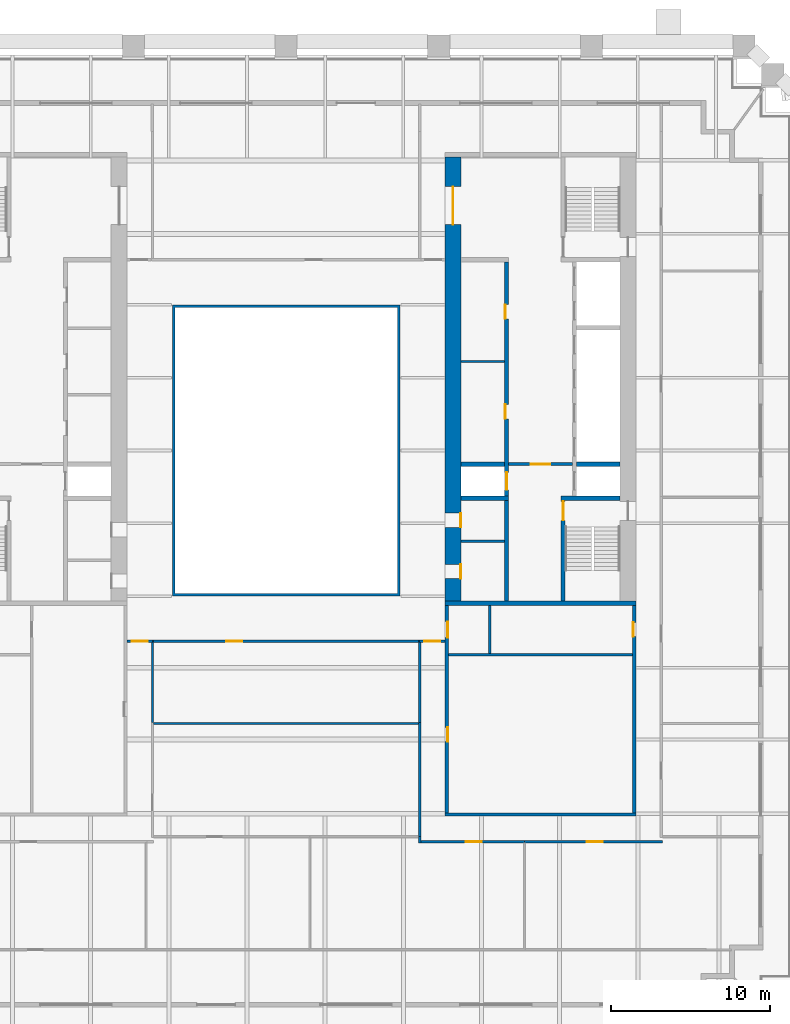
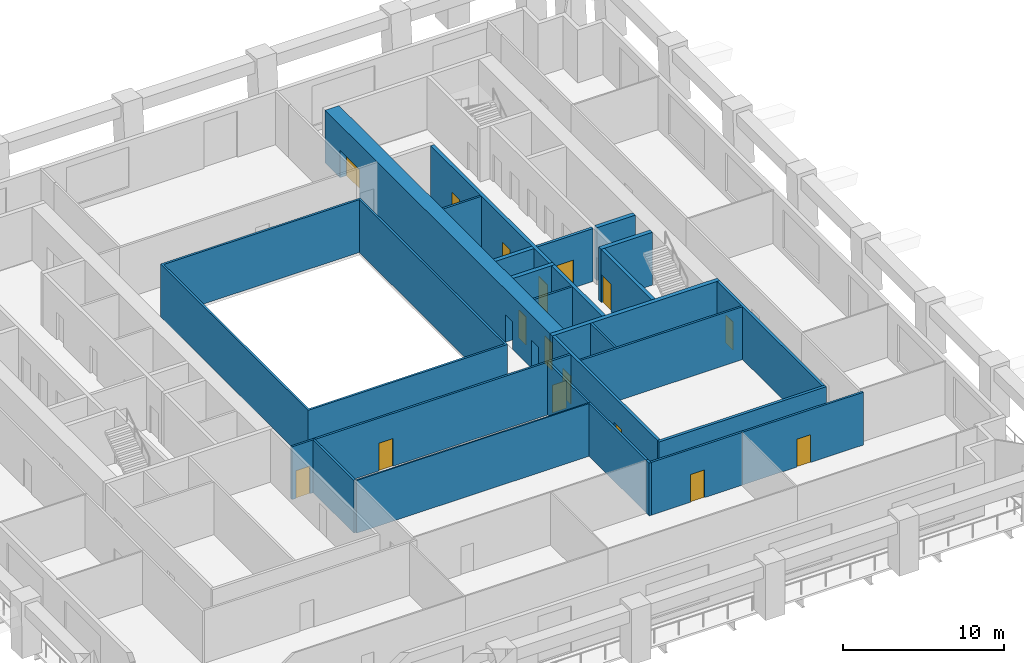
# One storey, part 5 of 10: 27 walls, 16 doors, 16 openings.
"""IFC4 building model written with IfcOpenShell, lengths in metres."""

from ifc_helpers import new_model, si_unit, direction, frame, frame_2d, origin, place, context, subcontext, project, spatial, polyline, rectangle, outline, extrude, material, layer, layer_set, type_object, element, fill, save


model = new_model("IFC4")

# Units and contexts
model_context = context("Model", 3, precision=1e-05, world=origin(), true_north=direction((0.0, 1.0)))
body_context = subcontext(model_context, "Body", "Model", "MODEL_VIEW")
ifc_project = project(units=[si_unit("LENGTHUNIT", "METRE"), si_unit("AREAUNIT", "SQUARE_METRE"), si_unit("VOLUMEUNIT", "CUBIC_METRE"), si_unit("PLANEANGLEUNIT", "RADIAN"), si_unit("MASSUNIT", "GRAM", prefix="KILO")], contexts=[model_context])

# Site, building, storey
site_placement = place(None, origin())
site = spatial("IfcSite", under=ifc_project, at=site_placement, CompositionType="ELEMENT")
building_placement = place(site_placement, origin())
building = spatial("IfcBuilding", under=site, at=building_placement, Name="Ogive Exchange Tower", CompositionType="ELEMENT")
storey_placement = place(building_placement, frame((0.0, 0.0, 43.800048828125)))
storey = spatial("IfcBuildingStorey", under=building, at=storey_placement, Name="L08", CompositionType="ELEMENT", Elevation=43.800048828125)

# Walls
ifc_material_1 = material(Name="Gypsum board partition")
ifc_layer_1 = layer(ifc_material_1, 0.14990234375)
ifc_layer_set_1 = layer_set([ifc_layer_1], Name="Core room partition 150 gypsum")
wall_type_1 = type_object("IfcWallType", Name="Core room partition 150 gypsum", PredefinedType="PARTITIONING", material=ifc_layer_set_1)
for number, where, z_axis, x_axis, name in (
    (1, (11.0, 12.60009765625, 0.0), (0.0, 0.0, 1.0), (1.0, 0.0, 0.0), "E row B bay partition 1-1"),
    (2, (11.0, 1.300048828125, 0.0), (0.0, 0.0, 1.0), (1.0, 0.0, 0.0), "E south room partition"),
):
    element("IfcWall", number, at=place(storey_placement, frame(where, z_axis=z_axis, x_axis=x_axis)), inside=storey, type_object=wall_type_1, Name=name, PredefinedType="PARTITIONING", context=body_context, shape_type="SweptSolid", body=[
        extrude(rectangle(XDim=2.75, YDim=0.14990234375, at=frame_2d((1.375, 0.0))), origin(), (0.0, 0.0, 1.0), 4.0),
    ])
wall_1_placement = place(storey_placement, frame((10.199951171875, -5.85009765625, 0.0), z_axis=(0.0, 0.0, 1.0), x_axis=(1.0, 0.0, 0.0)))
element("IfcWall", 3, at=wall_1_placement, inside=storey, type_object=wall_type_1, Name="E annex S wc strip wall 00", PredefinedType="PARTITIONING", context=body_context, shape_type="SweptSolid", body=[
    extrude(rectangle(XDim=11.60009765625, YDim=0.14990234375, at=frame_2d((5.800048828125, 0.0))), origin(), (0.0, 0.0, 1.0), 4.0),
])
wall_2_placement = place(storey_placement, frame((12.800048828125, -5.77490234375, 0.0), z_axis=(0.0, 0.0, 1.0), x_axis=(0.0, 1.0, 0.0)))
element("IfcWall", 4, at=wall_2_placement, inside=storey, type_object=wall_type_1, Name="E annex S wc partition 00", PredefinedType="PARTITIONING", context=body_context, shape_type="SweptSolid", body=[
    extrude(rectangle(XDim=3.02490234375, YDim=0.14990234375, at=frame_2d((1.512451171875, 0.0))), origin(), (0.0, 0.0, 1.0), 4.0),
])
ifc_material_2 = material(Name="Fire partition EI 60 150")
ifc_layer_2 = layer(ifc_material_2, 0.14990234375)
ifc_layer_set_2 = layer_set([ifc_layer_2], Name="Fire partition EI 60 150")
wall_type_2 = type_object("IfcWallType", Name="Fire partition EI 60 150", PredefinedType="PARTITIONING", material=ifc_layer_set_2)
wall_3_placement = place(storey_placement, frame((-8.39990234375, -4.925048828125, 0.0), z_axis=(0.0, 0.0, 1.0), x_axis=(0.0, -1.0, 0.0)))
element("IfcWall", 5, at=wall_3_placement, inside=storey, type_object=wall_type_2, Name="L08-PWL-019", PredefinedType="PARTITIONING", context=body_context, shape_type="SweptSolid", body=[
    extrude(rectangle(XDim=5.195068359375, YDim=0.14990234375, at=frame_2d((2.59765625, 0.0))), origin(), (0.0, 0.0, 1.0), 4.0),
])
wall_4_placement = place(storey_placement, frame((8.39990234375, -17.675048828125, 0.0), z_axis=(0.0, 0.0, 1.0), x_axis=(0.0, 1.0, 0.0)))
element("IfcWall", 6, at=wall_4_placement, inside=storey, type_object=wall_type_2, Name="L08-PWL-025", PredefinedType="PARTITIONING", context=body_context, shape_type="SweptSolid", body=[
    extrude(rectangle(XDim=0.385009765625, YDim=0.14990234375, at=frame_2d((0.1923828125, 0.0))), origin(), (0.0, 0.0, 1.0), 4.0),
])
wall_5_placement = place(storey_placement, frame((8.39990234375, -17.2900390625, 0.0), z_axis=(0.0, 0.0, 1.0), x_axis=(0.0, 1.0, 0.0)))
element("IfcWall", 7, at=wall_5_placement, inside=storey, type_object=wall_type_2, Name="L08-PWL-027", PredefinedType="PARTITIONING", context=body_context, shape_type="SweptSolid", body=[
    extrude(rectangle(XDim=7.169921875, YDim=0.14990234375, at=frame_2d((3.5849609375, 0.0))), origin(), (0.0, 0.0, 1.0), 4.0),
])
wall_6_placement = place(storey_placement, frame((8.39990234375, -10.1201171875, 0.0), z_axis=(0.0, 0.0, 1.0), x_axis=(0.0, 1.0, 0.0)))
element("IfcWall", 8, at=wall_6_placement, inside=storey, type_object=wall_type_2, Name="L08-PWL-029", PredefinedType="PARTITIONING", context=body_context, shape_type="SweptSolid", body=[
    extrude(rectangle(XDim=5.195068359375, YDim=0.14990234375, at=frame_2d((2.59765625, 0.0))), origin(), (0.0, 0.0, 1.0), 4.0),
])

# Wall, opening, door
wall_7_placement = place(storey_placement, frame((8.324951171875, -5.0, 0.0), z_axis=(0.0, 0.0, 1.0), x_axis=(-1.0, 0.0, 0.0)))
wall_7 = element("IfcWall", 9, at=wall_7_placement, inside=storey, type_object=wall_type_2, Name="L08-PWL-030", PredefinedType="PARTITIONING", context=body_context, shape_type="SweptSolid", body=[
    extrude(rectangle(XDim=16.64990234375, YDim=0.14990234375, at=frame_2d((8.324951171875, 0.0))), origin(), (0.0, 0.0, 1.0), 4.0),
])
opening_1_placement = place(wall_7_placement, frame((11.074951171875, 0.0, 0.0)))
opening_1 = element("IfcOpeningElement", 10, at=opening_1_placement, cuts=wall_7, Name="Opening L08-I01", PredefinedType="OPENING", context=body_context, shape_type="SweptSolid", body=[
    extrude(rectangle(XDim=1.0, YDim=2.10009765625, at=frame_2d((0.5, 1.050048828125))), frame((0.0, 0.0849609375, 0.0), z_axis=(0.0, -1.0, 0.0), x_axis=(1.0, 0.0, 0.0)), (0.0, 0.0, 1.0), 0.169921875),
])
ifc_material_3 = material(Name="Fire door FD 30S 1000 x 2100")
door_type_1 = type_object("IfcDoorType", Name="Fire door FD 30S 1000 x 2100", OperationType="NOTDEFINED", PredefinedType="DOOR", material=ifc_material_3)
door_1_placement = place(opening_1_placement, origin())
door_1 = element("IfcDoor", 11, at=door_1_placement, inside=storey, type_object=door_type_1, Name="L08-IDR-001", ObjectType="DT3", OperationType="SINGLE_SWING_RIGHT", OverallHeight=2.10009765625, OverallWidth=1.0, PredefinedType="DOOR", context=body_context, shape_type="SweptSolid", body=[
    extrude(rectangle(XDim=1.0, YDim=2.10009765625, at=frame_2d((0.5, 1.050048828125))), frame((0.0, 0.02490234375, 0.0), z_axis=(0.0, -1.0, 0.0), x_axis=(1.0, 0.0, 0.0)), (0.0, 0.0, 1.0), 0.050048828125),
])
fill(opening_1, door_1)

wall_8_placement = place(storey_placement, frame((15.0, -17.60009765625, 0.0), z_axis=(0.0, 0.0, 1.0), x_axis=(-1.0, 0.0, 0.0)))
wall_8 = element("IfcWall", 12, at=wall_8_placement, inside=storey, type_object=wall_type_2, Name="L08-PWL-034", PredefinedType="PARTITIONING", context=body_context, shape_type="SweptSolid", body=[
    extrude(rectangle(XDim=6.52490234375, YDim=0.14990234375, at=frame_2d((3.262451171875, 0.0))), origin(), (0.0, 0.0, 1.0), 4.0),
])
opening_2_placement = place(wall_8_placement, frame((2.699951171875, 0.0, 0.0)))
opening_2 = element("IfcOpeningElement", 13, at=opening_2_placement, cuts=wall_8, Name="Opening L08-I14", PredefinedType="OPENING", context=body_context, shape_type="SweptSolid", body=[
    extrude(rectangle(XDim=1.0, YDim=2.10009765625, at=frame_2d((0.5, 1.050048828125))), frame((0.0, 0.0849609375, 0.0), z_axis=(0.0, -1.0, 0.0), x_axis=(1.0, 0.0, 0.0)), (0.0, 0.0, 1.0), 0.169921875),
])
door_2_placement = place(opening_2_placement, origin())
door_2 = element("IfcDoor", 14, at=door_2_placement, inside=storey, type_object=door_type_1, Name="L08-IDR-014", ObjectType="DT3", OperationType="SINGLE_SWING_RIGHT", OverallHeight=2.10009765625, OverallWidth=1.0, PredefinedType="DOOR", context=body_context, shape_type="SweptSolid", body=[
    extrude(rectangle(XDim=1.0, YDim=2.10009765625, at=frame_2d((0.5, 1.050048828125))), frame((0.0, 0.02490234375, 0.0), z_axis=(0.0, -1.0, 0.0), x_axis=(1.0, 0.0, 0.0)), (0.0, 0.0, 1.0), 0.050048828125),
])
fill(opening_2, door_2)

wall_9_placement = place(storey_placement, frame((23.675048828125, -17.60009765625, 0.0), z_axis=(0.0, 0.0, 1.0), x_axis=(-1.0, 0.0, 0.0)))
wall_9 = element("IfcWall", 15, at=wall_9_placement, inside=storey, type_object=wall_type_2, Name="L08-PWL-037", PredefinedType="PARTITIONING", context=body_context, shape_type="SweptSolid", body=[
    extrude(rectangle(XDim=8.675048828125, YDim=0.14990234375, at=frame_2d((4.33740234375, 0.0))), origin(), (0.0, 0.0, 1.0), 4.0),
])
opening_3_placement = place(wall_9_placement, frame((3.77490234375, 0.0, 0.0)))
opening_3 = element("IfcOpeningElement", 16, at=opening_3_placement, cuts=wall_9, Name="Opening L08-I16", PredefinedType="OPENING", context=body_context, shape_type="SweptSolid", body=[
    extrude(rectangle(XDim=1.0, YDim=2.10009765625, at=frame_2d((0.5, 1.050048828125))), frame((0.0, 0.0849609375, 0.0), z_axis=(0.0, -1.0, 0.0), x_axis=(1.0, 0.0, 0.0)), (0.0, 0.0, 1.0), 0.169921875),
])
door_3_placement = place(opening_3_placement, origin())
door_3 = element("IfcDoor", 17, at=door_3_placement, inside=storey, type_object=door_type_1, Name="L08-IDR-016", ObjectType="DT3", OperationType="SINGLE_SWING_RIGHT", OverallHeight=2.10009765625, OverallWidth=1.0, PredefinedType="DOOR", context=body_context, shape_type="SweptSolid", body=[
    extrude(rectangle(XDim=1.0, YDim=2.10009765625, at=frame_2d((0.5, 1.050048828125))), frame((0.0, 0.02490234375, 0.0), z_axis=(0.0, -1.0, 0.0), x_axis=(1.0, 0.0, 0.0)), (0.0, 0.0, 1.0), 0.050048828125),
])
fill(opening_3, door_3)

wall_10_placement = place(storey_placement, frame((-8.39990234375, -5.0, 0.0), z_axis=(0.0, 0.0, 1.0), x_axis=(-1.0, 0.0, 0.0)))
wall_10 = element("IfcWall", 18, at=wall_10_placement, inside=storey, type_object=wall_type_2, Name="L08-PWL-048", PredefinedType="PARTITIONING", context=body_context, shape_type="SweptSolid", body=[
    extrude(rectangle(XDim=1.60009765625, YDim=0.14990234375, at=frame_2d((0.800048828125, 0.0))), origin(), (0.0, 0.0, 1.0), 4.0),
])
opening_4_placement = place(wall_10_placement, frame((0.300048828125, 0.0, 0.0)))
opening_4 = element("IfcOpeningElement", 19, at=opening_4_placement, cuts=wall_10, Name="Opening L08-I18", PredefinedType="OPENING", context=body_context, shape_type="SweptSolid", body=[
    extrude(rectangle(XDim=1.0, YDim=2.10009765625, at=frame_2d((0.5, 1.050048828125))), frame((0.0, 0.0849609375, 0.0), z_axis=(0.0, -1.0, 0.0), x_axis=(1.0, 0.0, 0.0)), (0.0, 0.0, 1.0), 0.169921875),
])
door_4_placement = place(opening_4_placement, origin())
door_4 = element("IfcDoor", 20, at=door_4_placement, inside=storey, type_object=door_type_1, Name="L08-IDR-018", ObjectType="DT3", OperationType="SINGLE_SWING_LEFT", OverallHeight=2.10009765625, OverallWidth=1.0, PredefinedType="DOOR", context=body_context, shape_type="SweptSolid", body=[
    extrude(rectangle(XDim=1.0, YDim=2.10009765625, at=frame_2d((0.5, 1.050048828125))), frame((0.0, 0.02490234375, 0.0), z_axis=(0.0, -1.0, 0.0), x_axis=(1.0, 0.0, 0.0)), (0.0, 0.0, 1.0), 0.050048828125),
])
fill(opening_4, door_4)

wall_11_placement = place(storey_placement, frame((10.0, -5.0, 0.0), z_axis=(0.0, 0.0, 1.0), x_axis=(-1.0, 0.0, 0.0)))
wall_11 = element("IfcWall", 21, at=wall_11_placement, inside=storey, type_object=wall_type_2, Name="L08-PWL-050", PredefinedType="PARTITIONING", context=body_context, shape_type="SweptSolid", body=[
    extrude(rectangle(XDim=1.60009765625, YDim=0.14990234375, at=frame_2d((0.800048828125, 0.0))), origin(), (0.0, 0.0, 1.0), 4.0),
])
opening_5_placement = place(wall_11_placement, frame((0.300048828125, 0.0, 0.0)))
opening_5 = element("IfcOpeningElement", 22, at=opening_5_placement, cuts=wall_11, Name="Opening L08-I20", PredefinedType="OPENING", context=body_context, shape_type="SweptSolid", body=[
    extrude(rectangle(XDim=1.0, YDim=2.10009765625, at=frame_2d((0.5, 1.050048828125))), frame((0.0, 0.0849609375, 0.0), z_axis=(0.0, -1.0, 0.0), x_axis=(1.0, 0.0, 0.0)), (0.0, 0.0, 1.0), 0.169921875),
])
door_5_placement = place(opening_5_placement, origin())
door_5 = element("IfcDoor", 23, at=door_5_placement, inside=storey, type_object=door_type_1, Name="L08-IDR-020", ObjectType="DT3", OperationType="SINGLE_SWING_RIGHT", OverallHeight=2.10009765625, OverallWidth=1.0, PredefinedType="DOOR", context=body_context, shape_type="SweptSolid", body=[
    extrude(rectangle(XDim=1.0, YDim=2.10009765625, at=frame_2d((0.5, 1.050048828125))), frame((0.0, 0.02490234375, 0.0), z_axis=(0.0, -1.0, 0.0), x_axis=(1.0, 0.0, 0.0)), (0.0, 0.0, 1.0), 0.050048828125),
])
fill(opening_5, door_5)

# Walls
ifc_material_4 = material(Name="Fire-resisting glass in steel frame", Category="steel")
ifc_layer_3 = layer(ifc_material_4, 0.14990234375)
ifc_layer_set_3 = layer_set([ifc_layer_3], Name="Fire-rated glazed wall 150")
wall_type_3 = type_object("IfcWallType", Name="Fire-rated glazed wall 150", PredefinedType="STANDARD", material=ifc_layer_set_3)
wall_12_placement = place(storey_placement, origin())
element("IfcWall", 24, at=wall_12_placement, inside=storey, type_object=wall_type_3, Name="Nave enclosure wall", PredefinedType="STANDARD", context=body_context, shape_type="SweptSolid", body=[
    extrude(outline(polyline([(-7.14990234375, -2.14990234375), (7.14990234375, -2.14990234375), (7.14990234375, 16.14990234375), (-7.14990234375, 16.14990234375), (-7.14990234375, -2.14990234375)]), holes=[polyline([(-7.0, -2.0), (-7.0, 16.0), (7.0, 16.0), (7.0, -2.0), (-7.0, -2.0)])]), origin(), (0.0, 0.0, 1.0), 4.0),
])
ifc_material_5 = material(Name="Partition 100 gypsum")
ifc_layer_4 = layer(ifc_material_5, 0.10009765625)
ifc_layer_set_4 = layer_set([ifc_layer_4], Name="Partition 100 gypsum")
wall_type_4 = type_object("IfcWallType", Name="Partition 100 gypsum", PredefinedType="PARTITIONING", material=ifc_layer_set_4)
wall_13_placement = place(storey_placement, frame((8.324951171875, -10.169921875, 0.0), z_axis=(0.0, 0.0, 1.0), x_axis=(-1.0, 0.0, 0.0)))
element("IfcWall", 25, at=wall_13_placement, inside=storey, type_object=wall_type_4, Name="L08-PWL-028", PredefinedType="PARTITIONING", context=body_context, shape_type="SweptSolid", body=[
    extrude(rectangle(XDim=16.64990234375, YDim=0.10009765625, at=frame_2d((8.324951171875, 0.0))), origin(), (0.0, 0.0, 1.0), 4.0),
])

# Wall, openings, doors
ifc_material_6 = material(Name="Concrete C70/85", Category="concrete")
ifc_layer_5 = layer(ifc_material_6, 1.0)
ifc_layer_set_5 = layer_set([ifc_layer_5], Name="RC core wall 1000 C70/85")
wall_type_5 = type_object("IfcWallType", Name="RC core wall 1000 C70/85", PredefinedType="SHEAR", material=ifc_layer_set_5)
wall_14_placement = place(storey_placement, frame((10.5, -2.449951171875, 0.0), z_axis=(0.0, 0.0, 1.0), x_axis=(0.0, 1.0, 0.0)))
wall_14 = element("IfcWall", 26, at=wall_14_placement, inside=storey, type_object=wall_type_5, Name="E inner wall", PredefinedType="SHEAR", context=body_context, shape_type="SweptSolid", body=[
    extrude(rectangle(XDim=27.89990234375, YDim=1.0, at=frame_2d((13.949951171875, 0.0))), origin(), (0.0, 0.0, 1.0), 4.0),
])
opening_6_placement = place(wall_14_placement, frame((23.64990234375, 0.0, 0.0)))
opening_6 = element("IfcOpeningElement", 27, at=opening_6_placement, cuts=wall_14, Name="Opening L08-C35", PredefinedType="OPENING", context=body_context, shape_type="SweptSolid", body=[
    extrude(rectangle(XDim=2.39990234375, YDim=2.10009765625, at=frame_2d((1.199951171875, 1.050048828125))), frame((0.0, 0.510009765625, 0.0), z_axis=(0.0, -1.0, 0.0), x_axis=(1.0, 0.0, 0.0)), (0.0, 0.0, 1.0), 1.02001953125),
])
opening_7_placement = place(wall_14_placement, frame((1.387451171875, 0.0, 0.0)))
opening_7 = element("IfcOpeningElement", 28, at=opening_7_placement, cuts=wall_14, Name="Opening L08-C40", PredefinedType="OPENING", context=body_context, shape_type="SweptSolid", body=[
    extrude(rectangle(XDim=0.89990234375, YDim=2.10009765625, at=frame_2d((0.449951171875, 1.050048828125))), frame((0.0, 0.510009765625, 0.0), z_axis=(0.0, -1.0, 0.0), x_axis=(1.0, 0.0, 0.0)), (0.0, 0.0, 1.0), 1.02001953125),
])
opening_8_placement = place(wall_14_placement, frame((4.612548828125, 0.0, 0.0)))
opening_8 = element("IfcOpeningElement", 29, at=opening_8_placement, cuts=wall_14, Name="Opening L08-C41", PredefinedType="OPENING", context=body_context, shape_type="SweptSolid", body=[
    extrude(rectangle(XDim=0.89990234375, YDim=2.10009765625, at=frame_2d((0.449951171875, 1.050048828125))), frame((0.0, 0.510009765625, 0.0), z_axis=(0.0, -1.0, 0.0), x_axis=(1.0, 0.0, 0.0)), (0.0, 0.0, 1.0), 1.02001953125),
])
ifc_material_7 = material(Name="Timber fire door", Category="wood")
door_type_2 = type_object("IfcDoorType", Name="Core room door FD30S 900 x 2100", OperationType="NOTDEFINED", PredefinedType="DOOR", material=ifc_material_7)
door_6_placement = place(opening_7_placement, frame((0.89990234375, -0.9501953125, 0.0), z_axis=(0.0, 0.0, 1.0), x_axis=(-1.0, 0.0, 0.0)))
door_6 = element("IfcDoor", 30, at=door_6_placement, inside=storey, type_object=door_type_2, Name="Core room door", ObjectType="CD6", OperationType="SINGLE_SWING_LEFT", OverallHeight=2.10009765625, OverallWidth=0.89990234375, PredefinedType="DOOR", context=body_context, shape_type="SweptSolid", body=[
    extrude(rectangle(XDim=0.89990234375, YDim=2.10009765625, at=frame_2d((0.449951171875, 1.050048828125))), frame((0.0, -0.4501953125, 0.0), z_axis=(0.0, -1.0, 0.0), x_axis=(1.0, 0.0, 0.0)), (0.0, 0.0, 1.0), 0.050048828125),
])
fill(opening_7, door_6)
ifc_material_8 = material(Name="Glazed steel fire door", Category="steel")
door_type_3 = type_object("IfcDoorType", Name="Lift lobby double door FD60 2400 x 2100", OperationType="DOUBLE_DOOR_SINGLE_SWING", PredefinedType="DOOR", material=ifc_material_8)
door_7_placement = place(opening_6_placement, frame((2.39990234375, 0.0, 0.0), z_axis=(0.0, 0.0, 1.0), x_axis=(-1.0, 0.0, 0.0)))
door_7 = element("IfcDoor", 31, at=door_7_placement, inside=storey, type_object=door_type_3, Name="Lift lobby double door", ObjectType="CD4", OperationType="DOUBLE_DOOR_SINGLE_SWING", OverallHeight=2.10009765625, OverallWidth=2.39990234375, PredefinedType="DOOR", context=body_context, shape_type="SweptSolid", body=[
    extrude(rectangle(XDim=2.39990234375, YDim=2.10009765625, at=frame_2d((1.199951171875, 1.050048828125))), frame((0.0, 0.02490234375, 0.0), z_axis=(0.0, -1.0, 0.0), x_axis=(1.0, 0.0, 0.0)), (0.0, 0.0, 1.0), 0.050048828125),
])
fill(opening_6, door_7)
ifc_material_9 = material(Name="Steel fire door", Category="steel")
door_type_4 = type_object("IfcDoorType", Name="Riser door FD60 900 x 2100", OperationType="NOTDEFINED", PredefinedType="DOOR", material=ifc_material_9)
door_8_placement = place(opening_8_placement, frame((0.89990234375, -0.9501953125, 0.0), z_axis=(0.0, 0.0, 1.0), x_axis=(-1.0, 0.0, 0.0)))
door_8 = element("IfcDoor", 32, at=door_8_placement, inside=storey, type_object=door_type_4, Name="Riser door", ObjectType="CD2", OperationType="SINGLE_SWING_LEFT", OverallHeight=2.10009765625, OverallWidth=0.89990234375, PredefinedType="DOOR", context=body_context, shape_type="SweptSolid", body=[
    extrude(rectangle(XDim=0.89990234375, YDim=2.10009765625, at=frame_2d((0.449951171875, 1.050048828125))), frame((0.0, -0.4501953125, 0.0), z_axis=(0.0, -1.0, 0.0), x_axis=(1.0, 0.0, 0.0)), (0.0, 0.0, 1.0), 0.050048828125),
])
fill(opening_8, door_8)

# Wall, opening, door
ifc_layer_6 = layer(ifc_material_6, 0.199951171875)
ifc_layer_set_6 = layer_set([ifc_layer_6], Name="RC core wall 200 C70/85")
wall_type_6 = type_object("IfcWallType", Name="RC core wall 200 C70/85", PredefinedType="SHEAR", material=ifc_layer_set_6)
wall_15_placement = place(storey_placement, frame((14.0, 6.142822265625, 0.0), z_axis=(0.0, 0.0, 1.0), x_axis=(1.0, 0.0, 0.0)))
wall_15 = element("IfcWall", 33, at=wall_15_placement, inside=storey, type_object=wall_type_6, Name="E firefighting lobby wall", PredefinedType="SHEAR", context=body_context, shape_type="SweptSolid", body=[
    extrude(rectangle(XDim=4.0, YDim=0.199951171875, at=frame_2d((2.0, 0.0))), origin(), (0.0, 0.0, 1.0), 4.0),
])
opening_9_placement = place(wall_15_placement, frame((1.39990234375, 0.0, 0.0)))
opening_9 = element("IfcOpeningElement", 34, at=opening_9_placement, cuts=wall_15, Name="Opening L08-C34", PredefinedType="OPENING", context=body_context, shape_type="SweptSolid", body=[
    extrude(rectangle(XDim=1.199951171875, YDim=2.10009765625, at=frame_2d((0.60009765625, 1.050048828125))), frame((0.0, 0.10986328125, 0.0), z_axis=(0.0, -1.0, 0.0), x_axis=(1.0, 0.0, 0.0)), (0.0, 0.0, 1.0), 0.219970703125),
])
door_type_5 = type_object("IfcDoorType", Name="Firefighting lobby door FD60 1200 x 2100", OperationType="NOTDEFINED", PredefinedType="DOOR", material=ifc_material_9)
door_9_placement = place(opening_9_placement, frame((1.199951171875, 0.0, 0.0), z_axis=(0.0, 0.0, 1.0), x_axis=(-1.0, 0.0, 0.0)))
door_9 = element("IfcDoor", 35, at=door_9_placement, inside=storey, type_object=door_type_5, Name="Firefighting lobby door", ObjectType="CD3", OperationType="SINGLE_SWING_LEFT", OverallHeight=2.10009765625, OverallWidth=1.199951171875, PredefinedType="DOOR", context=body_context, shape_type="SweptSolid", body=[
    extrude(rectangle(XDim=1.199951171875, YDim=2.10009765625, at=frame_2d((0.60009765625, 1.050048828125))), frame((0.0, 0.02490234375, 0.0), z_axis=(0.0, -1.0, 0.0), x_axis=(1.0, 0.0, 0.0)), (0.0, 0.0, 1.0), 0.050048828125),
])
fill(opening_9, door_9)

wall_16_placement = place(storey_placement, frame((21.89990234375, -15.800048828125, 0.0), z_axis=(0.0, 0.0, 1.0), x_axis=(0.0, 1.0, 0.0)))
wall_16 = element("IfcWall", 36, at=wall_16_placement, inside=storey, type_object=wall_type_6, Name="E annex S outer wall", PredefinedType="SHEAR", context=body_context, shape_type="SweptSolid", body=[
    extrude(rectangle(XDim=13.050048828125, YDim=0.199951171875, at=frame_2d((6.52490234375, 0.0))), origin(), (0.0, 0.0, 1.0), 4.0),
])
opening_10_placement = place(wall_16_placement, frame((11.08740234375, 0.0, 0.0)))
opening_10 = element("IfcOpeningElement", 37, at=opening_10_placement, cuts=wall_16, Name="Opening L08-C44", PredefinedType="OPENING", context=body_context, shape_type="SweptSolid", body=[
    extrude(rectangle(XDim=0.89990234375, YDim=2.10009765625, at=frame_2d((0.449951171875, 1.050048828125))), frame((0.0, 0.10986328125, 0.0), z_axis=(0.0, -1.0, 0.0), x_axis=(1.0, 0.0, 0.0)), (0.0, 0.0, 1.0), 0.219970703125),
])
door_10_placement = place(opening_10_placement, origin())
door_10 = element("IfcDoor", 38, at=door_10_placement, inside=storey, type_object=door_type_4, Name="Riser door", ObjectType="CD2", OperationType="SINGLE_SWING_LEFT", OverallHeight=2.10009765625, OverallWidth=0.89990234375, PredefinedType="DOOR", context=body_context, shape_type="SweptSolid", body=[
    extrude(rectangle(XDim=0.89990234375, YDim=2.10009765625, at=frame_2d((0.449951171875, 1.050048828125))), frame((0.0, 0.10009765625, 0.0), z_axis=(0.0, -1.0, 0.0), x_axis=(1.0, 0.0, 0.0)), (0.0, 0.0, 1.0), 0.050048828125),
])
fill(opening_10, door_10)

# Wall, openings, doors
wall_17_placement = place(storey_placement, frame((10.10009765625, -15.800048828125, 0.0), z_axis=(0.0, 0.0, 1.0), x_axis=(0.0, 1.0, 0.0)))
wall_17 = element("IfcWall", 39, at=wall_17_placement, inside=storey, type_object=wall_type_6, Name="E annex S inner wall", PredefinedType="SHEAR", context=body_context, shape_type="SweptSolid", body=[
    extrude(rectangle(XDim=13.050048828125, YDim=0.199951171875, at=frame_2d((6.52490234375, 0.0))), origin(), (0.0, 0.0, 1.0), 4.0),
])
opening_11_placement = place(wall_17_placement, frame((4.487548828125, 0.0, 0.0)))
opening_11 = element("IfcOpeningElement", 40, at=opening_11_placement, cuts=wall_17, Name="Opening L08-C42", PredefinedType="OPENING", context=body_context, shape_type="SweptSolid", body=[
    extrude(rectangle(XDim=0.89990234375, YDim=2.10009765625, at=frame_2d((0.449951171875, 1.050048828125))), frame((0.0, 0.10986328125, 0.0), z_axis=(0.0, -1.0, 0.0), x_axis=(1.0, 0.0, 0.0)), (0.0, 0.0, 1.0), 0.219970703125),
])
opening_12_placement = place(wall_17_placement, frame((11.03759765625, 0.0, 0.0)))
opening_12 = element("IfcOpeningElement", 41, at=opening_12_placement, cuts=wall_17, Name="Opening L08-C43", PredefinedType="OPENING", context=body_context, shape_type="SweptSolid", body=[
    extrude(rectangle(XDim=1.0, YDim=2.10009765625, at=frame_2d((0.5, 1.050048828125))), frame((0.0, 0.10986328125, 0.0), z_axis=(0.0, -1.0, 0.0), x_axis=(1.0, 0.0, 0.0)), (0.0, 0.0, 1.0), 0.219970703125),
])
door_type_6 = type_object("IfcDoorType", Name="Accessible WC door FD30S 1000 x 2100", OperationType="NOTDEFINED", PredefinedType="DOOR", material=ifc_material_7)
door_11_placement = place(opening_12_placement, frame((1.0, -0.14990234375, 0.0), z_axis=(0.0, 0.0, 1.0), x_axis=(-1.0, 0.0, 0.0)))
door_11 = element("IfcDoor", 42, at=door_11_placement, inside=storey, type_object=door_type_6, Name="Accessible WC door", ObjectType="CD7", OperationType="SINGLE_SWING_LEFT", OverallHeight=2.10009765625, OverallWidth=1.0, PredefinedType="DOOR", context=body_context, shape_type="SweptSolid", body=[
    extrude(rectangle(XDim=1.0, YDim=2.10009765625, at=frame_2d((0.5, 1.050048828125))), frame((0.0, -0.0498046875, 0.0), z_axis=(0.0, -1.0, 0.0), x_axis=(1.0, 0.0, 0.0)), (0.0, 0.0, 1.0), 0.050048828125),
])
fill(opening_12, door_11)
door_12_placement = place(opening_11_placement, frame((0.89990234375, -0.14990234375, 0.0), z_axis=(0.0, 0.0, 1.0), x_axis=(-1.0, 0.0, 0.0)))
door_12 = element("IfcDoor", 43, at=door_12_placement, inside=storey, type_object=door_type_4, Name="Riser door", ObjectType="CD2", OperationType="SINGLE_SWING_LEFT", OverallHeight=2.10009765625, OverallWidth=0.89990234375, PredefinedType="DOOR", context=body_context, shape_type="SweptSolid", body=[
    extrude(rectangle(XDim=0.89990234375, YDim=2.10009765625, at=frame_2d((0.449951171875, 1.050048828125))), frame((0.0, -0.0498046875, 0.0), z_axis=(0.0, -1.0, 0.0), x_axis=(1.0, 0.0, 0.0)), (0.0, 0.0, 1.0), 0.050048828125),
])
fill(opening_11, door_12)

# Wall
wall_18_placement = place(storey_placement, frame((10.0, -15.89990234375, 0.0), z_axis=(0.0, 0.0, 1.0), x_axis=(1.0, 0.0, 0.0)))
element("IfcWall", 44, at=wall_18_placement, inside=storey, type_object=wall_type_6, Name="E annex S end wall", PredefinedType="SHEAR", context=body_context, shape_type="SweptSolid", body=[
    extrude(rectangle(XDim=12.0, YDim=0.199951171875, at=frame_2d((6.0, 0.0))), origin(), (0.0, 0.0, 1.0), 4.0),
])

# Wall, opening, door
ifc_layer_7 = layer(ifc_material_6, 0.25)
ifc_layer_set_7 = layer_set([ifc_layer_7], Name="RC core wall 250 C70/85")
wall_type_7 = type_object("IfcWallType", Name="RC core wall 250 C70/85", PredefinedType="SHEAR", material=ifc_layer_set_7)
wall_19_placement = place(storey_placement, frame((17.425048828125, -2.449951171875, 0.0), z_axis=(0.0, 0.0, 1.0), x_axis=(0.0, 1.0, 0.0)))
wall_19 = element("IfcWall", 45, at=wall_19_placement, inside=storey, type_object=wall_type_7, Name="E stair S front wall", PredefinedType="SHEAR", context=body_context, shape_type="SweptSolid", body=[
    extrude(rectangle(XDim=6.300048828125, YDim=0.25, at=frame_2d((3.14990234375, 0.0))), origin(), (0.0, 0.0, 1.0), 4.0),
])
opening_13_placement = place(wall_19_placement, frame((5.050048828125, 0.0, 0.0)))
opening_13 = element("IfcOpeningElement", 46, at=opening_13_placement, cuts=wall_19, Name="Opening L08-C36", PredefinedType="OPENING", context=body_context, shape_type="SweptSolid", body=[
    extrude(rectangle(XDim=1.199951171875, YDim=2.10009765625, at=frame_2d((0.60009765625, 1.050048828125))), frame((0.0, 0.135009765625, 0.0), z_axis=(0.0, -1.0, 0.0), x_axis=(1.0, 0.0, 0.0)), (0.0, 0.0, 1.0), 0.27001953125),
])
door_type_7 = type_object("IfcDoorType", Name="Stair door FD90 1200 x 2100", OperationType="NOTDEFINED", PredefinedType="DOOR", material=ifc_material_9)
door_13_placement = place(opening_13_placement, frame((1.199951171875, 0.0, 0.0), z_axis=(0.0, 0.0, 1.0), x_axis=(-1.0, 0.0, 0.0)))
door_13 = element("IfcDoor", 47, at=door_13_placement, inside=storey, type_object=door_type_7, Name="Stair door", ObjectType="CD5", OperationType="SINGLE_SWING_RIGHT", OverallHeight=2.10009765625, OverallWidth=1.199951171875, PredefinedType="DOOR", context=body_context, shape_type="SweptSolid", body=[
    extrude(rectangle(XDim=1.199951171875, YDim=2.10009765625, at=frame_2d((0.60009765625, 1.050048828125))), frame((0.0, 0.02490234375, 0.0), z_axis=(0.0, -1.0, 0.0), x_axis=(1.0, 0.0, 0.0)), (0.0, 0.0, 1.0), 0.050048828125),
])
fill(opening_13, door_13)

# Wall, openings, doors
wall_20_placement = place(storey_placement, frame((13.875, -2.449951171875, 0.0), z_axis=(0.0, 0.0, 1.0), x_axis=(0.0, 1.0, 0.0)))
wall_20 = element("IfcWall", 48, at=wall_20_placement, inside=storey, type_object=wall_type_7, Name="E row B front wall", PredefinedType="SHEAR", context=body_context, shape_type="SweptSolid", body=[
    extrude(rectangle(XDim=21.300048828125, YDim=0.25, at=frame_2d((10.64990234375, 0.0))), origin(), (0.0, 0.0, 1.0), 4.0),
])
opening_14_placement = place(wall_20_placement, frame((11.4462890625, 0.0, 0.0)))
opening_14 = element("IfcOpeningElement", 49, at=opening_14_placement, cuts=wall_20, Name="Opening L08-C31", PredefinedType="OPENING", context=body_context, shape_type="SweptSolid", body=[
    extrude(rectangle(XDim=0.89990234375, YDim=2.10009765625, at=frame_2d((0.449951171875, 1.050048828125))), frame((0.0, 0.135009765625, 0.0), z_axis=(0.0, -1.0, 0.0), x_axis=(1.0, 0.0, 0.0)), (0.0, 0.0, 1.0), 0.27001953125),
])
opening_15_placement = place(wall_20_placement, frame((17.72509765625, 0.0, 0.0)))
opening_15 = element("IfcOpeningElement", 50, at=opening_15_placement, cuts=wall_20, Name="Opening L08-C32", PredefinedType="OPENING", context=body_context, shape_type="SweptSolid", body=[
    extrude(rectangle(XDim=0.89990234375, YDim=2.10009765625, at=frame_2d((0.449951171875, 1.050048828125))), frame((0.0, 0.135009765625, 0.0), z_axis=(0.0, -1.0, 0.0), x_axis=(1.0, 0.0, 0.0)), (0.0, 0.0, 1.0), 0.27001953125),
])
opening_16_placement = place(wall_20_placement, frame((6.971435546875, 0.0, 0.0)))
opening_16 = element("IfcOpeningElement", 51, at=opening_16_placement, cuts=wall_20, Name="Opening L08-C33", PredefinedType="OPENING", context=body_context, shape_type="SweptSolid", body=[
    extrude(rectangle(XDim=1.10009765625, YDim=2.10009765625, at=frame_2d((0.550048828125, 1.050048828125))), frame((0.0, 0.135009765625, 0.0), z_axis=(0.0, -1.0, 0.0), x_axis=(1.0, 0.0, 0.0)), (0.0, 0.0, 1.0), 0.27001953125),
])
door_14_placement = place(opening_15_placement, origin())
door_14 = element("IfcDoor", 52, at=door_14_placement, inside=storey, type_object=door_type_2, Name="Core room door", ObjectType="CD6", OperationType="SINGLE_SWING_LEFT", OverallHeight=2.10009765625, OverallWidth=0.89990234375, PredefinedType="DOOR", context=body_context, shape_type="SweptSolid", body=[
    extrude(rectangle(XDim=0.89990234375, YDim=2.10009765625, at=frame_2d((0.449951171875, 1.050048828125))), frame((0.0, 0.125, 0.0), z_axis=(0.0, -1.0, 0.0), x_axis=(1.0, 0.0, 0.0)), (0.0, 0.0, 1.0), 0.050048828125),
])
fill(opening_15, door_14)
ifc_material_10 = material(Name="Stainless steel", Category="steel")
door_type_8 = type_object("IfcDoorType", Name="Lift landing door FD90 1100 x 2100", OperationType="SLIDING_TO_LEFT", PredefinedType="DOOR", material=ifc_material_10)
door_15_placement = place(opening_16_placement, origin())
door_15 = element("IfcDoor", 53, at=door_15_placement, inside=storey, type_object=door_type_8, Name="Lift landing door SV2", ObjectType="LD", OperationType="SLIDING_TO_LEFT", OverallHeight=2.10009765625, OverallWidth=1.10009765625, PredefinedType="DOOR", context=body_context, shape_type="SweptSolid", body=[
    extrude(rectangle(XDim=1.10009765625, YDim=2.10009765625, at=frame_2d((0.550048828125, 1.050048828125))), frame((0.0, 0.02490234375, 0.0), z_axis=(0.0, -1.0, 0.0), x_axis=(1.0, 0.0, 0.0)), (0.0, 0.0, 1.0), 0.050048828125),
])
fill(opening_16, door_15)
door_16_placement = place(opening_14_placement, origin())
door_16 = element("IfcDoor", 54, at=door_16_placement, inside=storey, type_object=door_type_4, Name="Riser door", ObjectType="CD2", OperationType="SINGLE_SWING_LEFT", OverallHeight=2.10009765625, OverallWidth=0.89990234375, PredefinedType="DOOR", context=body_context, shape_type="SweptSolid", body=[
    extrude(rectangle(XDim=0.89990234375, YDim=2.10009765625, at=frame_2d((0.449951171875, 1.050048828125))), frame((0.0, 0.125, 0.0), z_axis=(0.0, -1.0, 0.0), x_axis=(1.0, 0.0, 0.0)), (0.0, 0.0, 1.0), 0.050048828125),
])
fill(opening_14, door_16)

# Walls
ifc_layer_8 = layer(ifc_material_6, 0.300048828125)
ifc_layer_set_8 = layer_set([ifc_layer_8], Name="RC core wall 300 C70/85")
wall_type_8 = type_object("IfcWallType", Name="RC core wall 300 C70/85", PredefinedType="SHEAR", material=ifc_layer_set_8)
wall_21_placement = place(storey_placement, frame((10.0, -2.60009765625, 0.0), z_axis=(0.0, 0.0, 1.0), x_axis=(1.0, 0.0, 0.0)))
element("IfcWall", 55, at=wall_21_placement, inside=storey, type_object=wall_type_8, Name="E south end wall", PredefinedType="SHEAR", context=body_context, shape_type="SweptSolid", body=[
    extrude(rectangle(XDim=12.0, YDim=0.300048828125, at=frame_2d((6.0, 0.0))), origin(), (0.0, 0.0, 1.0), 4.0),
])
wall_22_placement = place(storey_placement, frame((17.300048828125, 4.0, 0.0), z_axis=(0.0, 0.0, 1.0), x_axis=(1.0, 0.0, 0.0)))
element("IfcWall", 56, at=wall_22_placement, inside=storey, type_object=wall_type_8, Name="E stair S north wall", PredefinedType="SHEAR", context=body_context, shape_type="SweptSolid", body=[
    extrude(rectangle(XDim=3.699951171875, YDim=0.300048828125, at=frame_2d((1.85009765625, 0.0))), origin(), (0.0, 0.0, 1.0), 4.0),
])
wall_23_placement = place(storey_placement, frame((18.25, 6.142822265625, 0.0), z_axis=(0.0, 0.0, 1.0), x_axis=(1.0, 0.0, 0.0)))
element("IfcWall", 57, at=wall_23_placement, inside=storey, type_object=wall_type_8, Name="E row A divider 1", PredefinedType="SHEAR", context=body_context, shape_type="SweptSolid", body=[
    extrude(rectangle(XDim=2.75, YDim=0.300048828125, at=frame_2d((1.375, 0.0))), origin(), (0.0, 0.0, 1.0), 4.0),
])
wall_24_placement = place(storey_placement, frame((11.0, 4.0, 0.0), z_axis=(0.0, 0.0, 1.0), x_axis=(1.0, 0.0, 0.0)))
element("IfcWall", 58, at=wall_24_placement, inside=storey, type_object=wall_type_8, Name="E row B divider 0", PredefinedType="SHEAR", context=body_context, shape_type="SweptSolid", body=[
    extrude(rectangle(XDim=3.0, YDim=0.300048828125, at=frame_2d((1.5, 0.0))), origin(), (0.0, 0.0, 1.0), 4.0),
])
wall_25_placement = place(storey_placement, frame((11.0, 6.142822265625, 0.0), z_axis=(0.0, 0.0, 1.0), x_axis=(1.0, 0.0, 0.0)))
element("IfcWall", 59, at=wall_25_placement, inside=storey, type_object=wall_type_8, Name="E row B divider 1", PredefinedType="SHEAR", context=body_context, shape_type="SweptSolid", body=[
    extrude(rectangle(XDim=2.75, YDim=0.300048828125, at=frame_2d((1.375, 0.0))), origin(), (0.0, 0.0, 1.0), 4.0),
])

save(model, "model.ifc")
